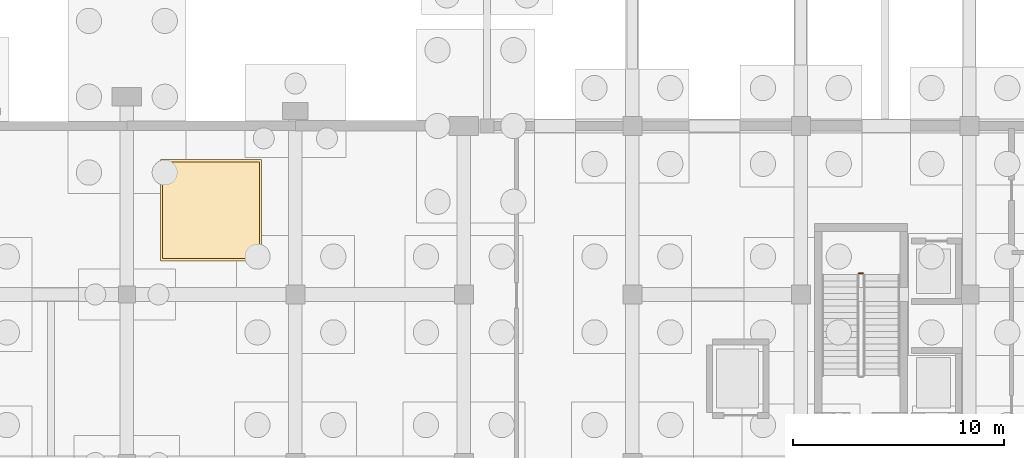
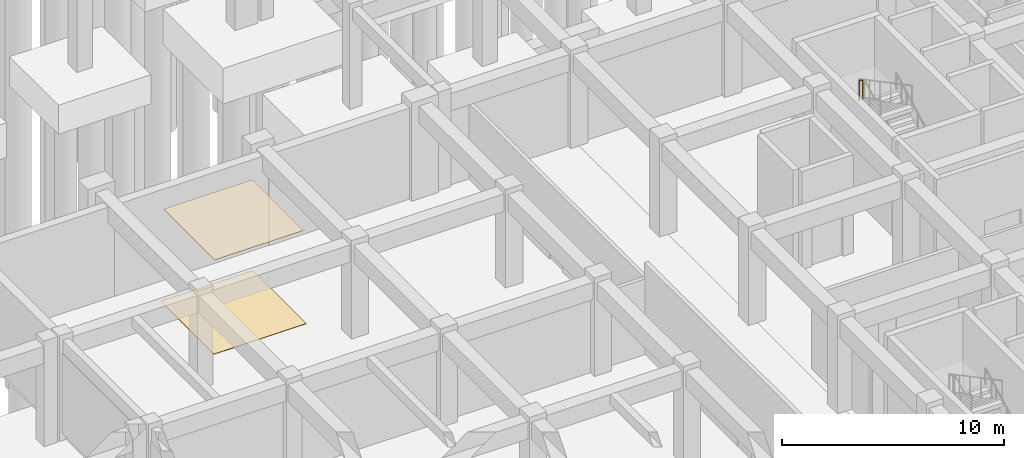
# One storey, part 44 of 45: 2 coverings, 1 railing.
"""IFC4 building model written with IfcOpenShell, lengths in metres."""

from ifc_helpers import new_model, si_unit, direction, frame, origin, origin_2d, place, context, subcontext, project, spatial, rectangle, circle, extrude, material, layer, layer_set, type_object, element, save


model = new_model("IFC4")

# Units and contexts
model_context = context("Model", 3, precision=1e-05, world=origin(), true_north=direction((0.0, 1.0)))
body_context = subcontext(model_context, "Body", "Model", "MODEL_VIEW")
ifc_project = project(units=[si_unit("LENGTHUNIT", "METRE"), si_unit("AREAUNIT", "SQUARE_METRE"), si_unit("VOLUMEUNIT", "CUBIC_METRE"), si_unit("PLANEANGLEUNIT", "RADIAN"), si_unit("MASSUNIT", "GRAM", prefix="KILO")], contexts=[model_context])

# Site, building, storey
site_placement = place(None, origin())
site = spatial("IfcSite", under=ifc_project, at=site_placement, CompositionType="ELEMENT")
building_placement = place(site_placement, origin())
building = spatial("IfcBuilding", under=site, at=building_placement, Name="Kenh Van Central Station", CompositionType="ELEMENT")
storey_placement = place(building_placement, frame((0.0, 0.0, -5.39990234375)))
storey = spatial("IfcBuildingStorey", under=building, at=storey_placement, Name="B1", CompositionType="ELEMENT", Elevation=-5.39990234375)

# Coverings
ifc_material_1 = material(Name="Perforated acoustic mineral ceiling board")
ifc_layer_1 = layer(ifc_material_1, 0.02490234375, Name="Perforated acoustic mineral ceiling board")
ifc_layer_set_1 = layer_set([ifc_layer_1], Name="Perforated acoustic mineral ceiling board")
covering_type_1 = type_object("IfcCoveringType", Name="COV-CEIL-ACOUST", PredefinedType="CEILING", material=ifc_layer_set_1)
covering_1_placement = place(storey_placement, frame((132.0, 60.0, 5.076904296875), z_axis=(0.0, 0.0, 1.0), x_axis=(1.0, 0.0, 0.0)))
element("IfcCovering", 1, at=covering_1_placement, inside=storey, type_object=covering_type_1, Name="B1 acoustic ceiling panel 014", PredefinedType="CEILING", context=body_context, shape_type="SweptSolid", body=[
    extrude(rectangle(XDim=4.60009765625, YDim=4.60009765625, at=origin_2d()), origin(), (0.0, 0.0, 1.0), 0.02490234375),
])
ifc_material_2 = material(Name="Polished station granite terrazzo", Category="masonry")
ifc_layer_2 = layer(ifc_material_2, 0.02001953125, Name="Polished station granite terrazzo")
ifc_layer_set_2 = layer_set([ifc_layer_2], Name="Polished station granite terrazzo")
covering_type_2 = type_object("IfcCoveringType", Name="COV-FLR-GRANITE", PredefinedType="FLOORING", material=ifc_layer_set_2)
covering_2_placement = place(storey_placement, frame((132.0, 60.0, 0.0), z_axis=(0.0, 0.0, 1.0), x_axis=(1.0, 0.0, 0.0)))
element("IfcCovering", 2, at=covering_2_placement, inside=storey, type_object=covering_type_2, Name="B1 granite floor finish 014", PredefinedType="FLOORING", context=body_context, shape_type="SweptSolid", body=[
    extrude(rectangle(XDim=4.800048828125, YDim=4.800048828125, at=origin_2d()), origin(), (0.0, 0.0, 1.0), 0.02001953125),
])

# Railing
ifc_material_3 = material(Name="Champagne anodised aluminium", Category="aluminium")
railing_type = type_object("IfcRailingType", Name="RAIL-CORE-GRD110", PredefinedType="GUARDRAIL", material=ifc_material_3)
railing_placement = place(storey_placement, frame((162.949951171875, 57.0, 2.699951171875)))
element("IfcRailing", 3, at=railing_placement, inside=storey, type_object=railing_type, Name="B1 ST-10 stair guard 2", PredefinedType="GUARDRAIL", context=body_context, shape_type="SweptSolid", body=[
    extrude(circle(Radius=0.02392578125, at=origin_2d()), frame((0.0, 0.0, 1.076171875), z_axis=(-1.0, 0.0, 0.0), x_axis=(0.0, -1.0, 0.0)), (0.0, 0.0, 1.0), 0.199951171875),
    extrude(circle(Radius=0.02099609375, at=origin_2d()), origin(), (0.0, 0.0, 1.0), 1.052001953125),
    extrude(circle(Radius=0.02099609375, at=origin_2d()), frame((-0.199951171875, 0.0, 0.0)), (0.0, 0.0, 1.0), 1.052001953125),
])

save(model, "model.ifc")
